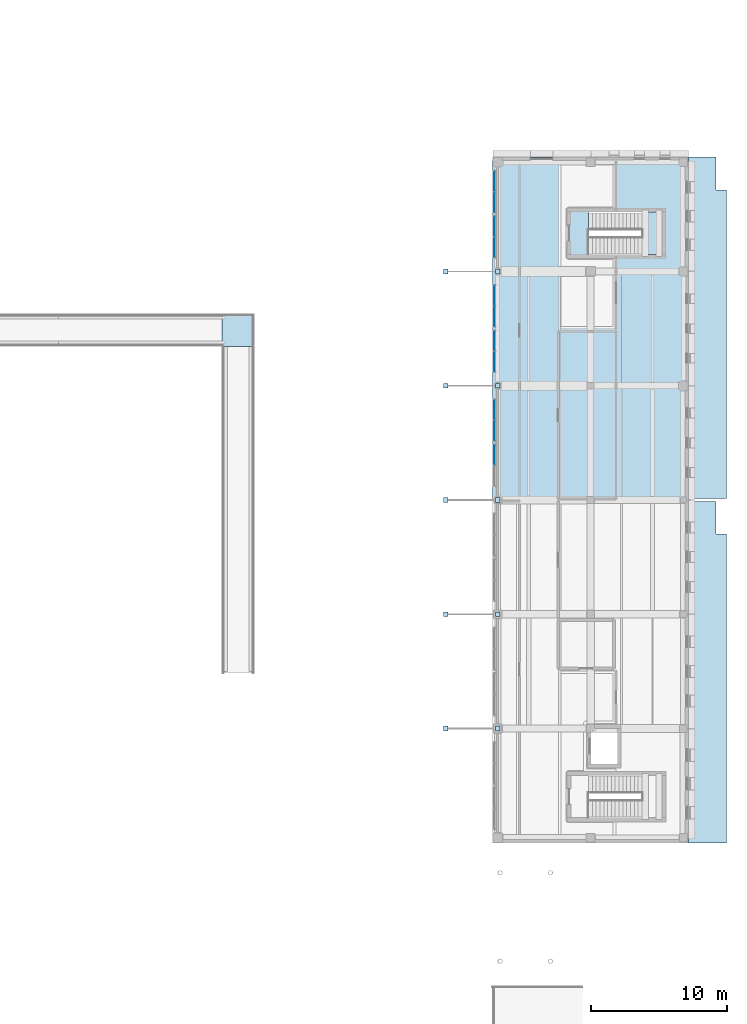
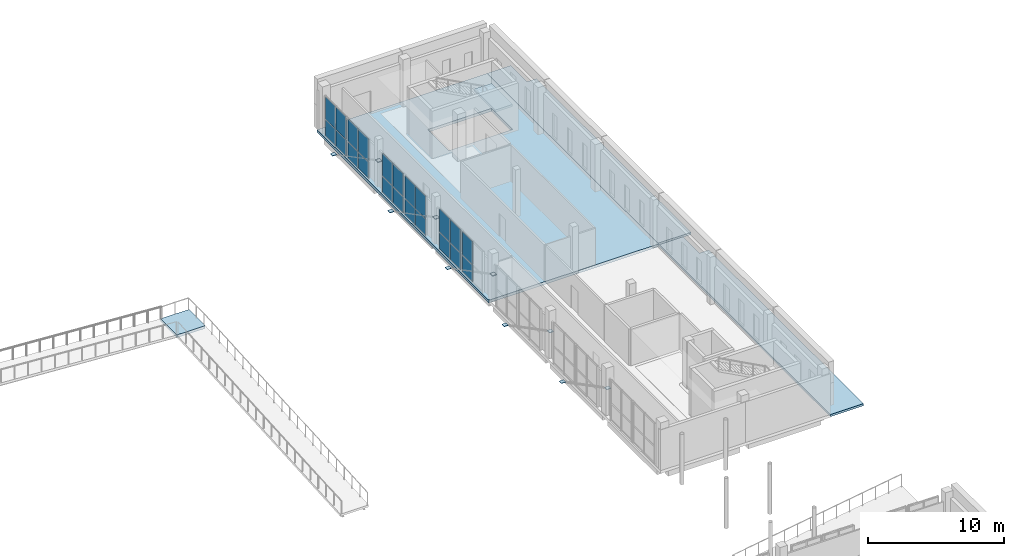
# One storey, part 46 of 77: 32 plates, 5 slabs, 7 elements without a shape of their own.
"""IFC4 building model written with IfcOpenShell, lengths in metres."""

from ifc_helpers import new_model, si_unit, direction, frame, origin, origin_2d, place, context, subcontext, project, spatial, polyline, rectangle, outline, extrude, material, layer, layer_set, type_object, element, aggregate, save


model = new_model("IFC4")

# Units and contexts
model_context = context("Model", 3, precision=1e-05, world=origin(), true_north=direction((0.0, 1.0)))
body_context = subcontext(model_context, "Body", "Model", "MODEL_VIEW")
ifc_project = project(units=[si_unit("LENGTHUNIT", "METRE"), si_unit("AREAUNIT", "SQUARE_METRE"), si_unit("VOLUMEUNIT", "CUBIC_METRE"), si_unit("PLANEANGLEUNIT", "RADIAN"), si_unit("MASSUNIT", "GRAM", prefix="KILO")], contexts=[model_context])

# Site, building, storey
site_placement = place(None, origin())
site = spatial("IfcSite", under=ifc_project, at=site_placement, CompositionType="ELEMENT")
building_placement = place(site_placement, origin())
building = spatial("IfcBuilding", under=site, at=building_placement, Name="Vardoun Plaza Health Centre", CompositionType="ELEMENT")
storey_placement = place(building_placement, origin())
storey = spatial("IfcBuildingStorey", under=building, at=storey_placement, Name="L00", CompositionType="ELEMENT", Elevation=0.0)

# Curtain wall, plates
ifc_material_1 = material(Name="Aluminium Alloy EN AW-6063-T6 and Low-E Glass", Category="aluminium")
ifc_layer_1 = layer(ifc_material_1, 0.179931640625)
ifc_layer_set_1 = layer_set([ifc_layer_1], Name="Aluminium Alloy EN AW-6063-T6 and Low-E Glass")
curtain_wall_type = type_object("IfcCurtainWallType", Name="CW-01", PredefinedType="USERDEFINED", material=ifc_layer_set_1)
curtain_wall_1_placement = place(storey_placement, origin())
curtain_wall_1 = element("IfcCurtainWall", 1, at=curtain_wall_1_placement, inside=storey, type_object=curtain_wall_type, Name="Curtain Wall CW-V6-197", ObjectType="CONCOURSE_CURTAIN_WALL", PredefinedType="USERDEFINED")
ifc_material_2 = material(Name="Acoustic Laminated Double Low-E Glazing", Category="glass")
ifc_layer_2 = layer(ifc_material_2, 0.031982421875)
ifc_layer_set_2 = layer_set([ifc_layer_2], Name="Acoustic Laminated Double Low-E Glazing")
plate_type_1 = type_object("IfcPlateType", Name="CW-P2", PredefinedType="CURTAIN_PANEL", material=ifc_layer_set_2)
plate_1_placement = place(storey_placement, frame((151.02001953125, 64.813720703125, 0.06494140625), z_axis=(0.0, 0.0, 1.0), x_axis=(0.0, 1.0, 0.0)))
plate_1 = element("IfcPlate", 2, at=plate_1_placement, type_object=plate_type_1, Name="CW-V6-197 panel 2.1", PredefinedType="CURTAIN_PANEL", context=body_context, shape_type="SweptSolid", body=[
    extrude(rectangle(XDim=1.482421875, YDim=0.031982421875, at=origin_2d()), origin(), (0.0, 0.0, 1.0), 1.47119140625),
])
plate_2_placement = place(storey_placement, frame((151.02001953125, 64.813720703125, 1.60107421875), z_axis=(0.0, 0.0, 1.0), x_axis=(0.0, 1.0, 0.0)))
plate_2 = element("IfcPlate", 3, at=plate_2_placement, type_object=plate_type_1, Name="CW-V6-197 panel 2.2", PredefinedType="CURTAIN_PANEL", context=body_context, shape_type="SweptSolid", body=[
    extrude(rectangle(XDim=1.482421875, YDim=0.031982421875, at=origin_2d()), origin(), (0.0, 0.0, 1.0), 2.06884765625),
])
aggregate(curtain_wall_1, [plate_1, plate_2])

curtain_wall_2_placement = place(storey_placement, origin())
curtain_wall_2 = element("IfcCurtainWall", 4, at=curtain_wall_2_placement, inside=storey, type_object=curtain_wall_type, Name="Curtain Wall CW-V6-198", ObjectType="CONCOURSE_CURTAIN_WALL", PredefinedType="USERDEFINED")
plate_3_placement = place(storey_placement, frame((151.02001953125, 66.586181640625, 0.06494140625), z_axis=(0.0, 0.0, 1.0), x_axis=(0.0, 1.0, 0.0)))
plate_3 = element("IfcPlate", 5, at=plate_3_placement, type_object=plate_type_1, Name="CW-V6-198 panel 1.1", PredefinedType="CURTAIN_PANEL", context=body_context, shape_type="SweptSolid", body=[
    extrude(rectangle(XDim=1.482421875, YDim=0.031982421875, at=origin_2d()), origin(), (0.0, 0.0, 1.0), 1.47119140625),
])
plate_4_placement = place(storey_placement, frame((151.02001953125, 66.586181640625, 1.60107421875), z_axis=(0.0, 0.0, 1.0), x_axis=(0.0, 1.0, 0.0)))
plate_4 = element("IfcPlate", 6, at=plate_4_placement, type_object=plate_type_1, Name="CW-V6-198 panel 1.2", PredefinedType="CURTAIN_PANEL", context=body_context, shape_type="SweptSolid", body=[
    extrude(rectangle(XDim=1.482421875, YDim=0.031982421875, at=origin_2d()), origin(), (0.0, 0.0, 1.0), 2.06884765625),
])
plate_5_placement = place(storey_placement, frame((151.02001953125, 68.1337890625, 0.06494140625), z_axis=(0.0, 0.0, 1.0), x_axis=(0.0, 1.0, 0.0)))
plate_5 = element("IfcPlate", 7, at=plate_5_placement, type_object=plate_type_1, Name="CW-V6-198 panel 2.1", PredefinedType="CURTAIN_PANEL", context=body_context, shape_type="SweptSolid", body=[
    extrude(rectangle(XDim=1.482421875, YDim=0.031982421875, at=origin_2d()), origin(), (0.0, 0.0, 1.0), 1.47119140625),
])
plate_6_placement = place(storey_placement, frame((151.02001953125, 68.1337890625, 1.60107421875), z_axis=(0.0, 0.0, 1.0), x_axis=(0.0, 1.0, 0.0)))
plate_6 = element("IfcPlate", 8, at=plate_6_placement, type_object=plate_type_1, Name="CW-V6-198 panel 2.2", PredefinedType="CURTAIN_PANEL", context=body_context, shape_type="SweptSolid", body=[
    extrude(rectangle(XDim=1.482421875, YDim=0.031982421875, at=origin_2d()), origin(), (0.0, 0.0, 1.0), 2.06884765625),
])
aggregate(curtain_wall_2, [plate_3, plate_4, plate_5, plate_6])

curtain_wall_3_placement = place(storey_placement, origin())
curtain_wall_3 = element("IfcCurtainWall", 9, at=curtain_wall_3_placement, inside=storey, type_object=curtain_wall_type, Name="Curtain Wall CW-V6-199", ObjectType="CONCOURSE_CURTAIN_WALL", PredefinedType="USERDEFINED")
plate_7_placement = place(storey_placement, frame((151.02001953125, 71.666259765625, 0.06494140625), z_axis=(0.0, 0.0, 1.0), x_axis=(0.0, 1.0, 0.0)))
plate_7 = element("IfcPlate", 10, at=plate_7_placement, type_object=plate_type_1, Name="CW-V6-199 panel 1.1", PredefinedType="CURTAIN_PANEL", context=body_context, shape_type="SweptSolid", body=[
    extrude(rectangle(XDim=1.482421875, YDim=0.031982421875, at=origin_2d()), origin(), (0.0, 0.0, 1.0), 1.4208984375),
])
plate_8_placement = place(storey_placement, frame((151.02001953125, 71.666259765625, 1.55078125), z_axis=(0.0, 0.0, 1.0), x_axis=(0.0, 1.0, 0.0)))
plate_8 = element("IfcPlate", 11, at=plate_8_placement, type_object=plate_type_1, Name="CW-V6-199 panel 1.2", PredefinedType="CURTAIN_PANEL", context=body_context, shape_type="SweptSolid", body=[
    extrude(rectangle(XDim=1.482421875, YDim=0.031982421875, at=origin_2d()), origin(), (0.0, 0.0, 1.0), 1.999267578125),
])
plate_9_placement = place(storey_placement, frame((151.02001953125, 73.2138671875, 0.06494140625), z_axis=(0.0, 0.0, 1.0), x_axis=(0.0, 1.0, 0.0)))
plate_9 = element("IfcPlate", 12, at=plate_9_placement, type_object=plate_type_1, Name="CW-V6-199 panel 2.1", PredefinedType="CURTAIN_PANEL", context=body_context, shape_type="SweptSolid", body=[
    extrude(rectangle(XDim=1.482421875, YDim=0.031982421875, at=origin_2d()), origin(), (0.0, 0.0, 1.0), 1.4208984375),
])
plate_10_placement = place(storey_placement, frame((151.02001953125, 73.2138671875, 1.55078125), z_axis=(0.0, 0.0, 1.0), x_axis=(0.0, 1.0, 0.0)))
plate_10 = element("IfcPlate", 13, at=plate_10_placement, type_object=plate_type_1, Name="CW-V6-199 panel 2.2", PredefinedType="CURTAIN_PANEL", context=body_context, shape_type="SweptSolid", body=[
    extrude(rectangle(XDim=1.482421875, YDim=0.031982421875, at=origin_2d()), origin(), (0.0, 0.0, 1.0), 1.999267578125),
])
aggregate(curtain_wall_3, [plate_7, plate_8, plate_9, plate_10])

curtain_wall_4_placement = place(storey_placement, origin())
curtain_wall_4 = element("IfcCurtainWall", 14, at=curtain_wall_4_placement, inside=storey, type_object=curtain_wall_type, Name="Curtain Wall CW-V6-200", ObjectType="CONCOURSE_CURTAIN_WALL", PredefinedType="USERDEFINED")
plate_11_placement = place(storey_placement, frame((151.02001953125, 74.986328125, 0.06494140625), z_axis=(0.0, 0.0, 1.0), x_axis=(0.0, 1.0, 0.0)))
plate_11 = element("IfcPlate", 15, at=plate_11_placement, type_object=plate_type_1, Name="CW-V6-200 panel 1.1", PredefinedType="CURTAIN_PANEL", context=body_context, shape_type="SweptSolid", body=[
    extrude(rectangle(XDim=1.482421875, YDim=0.031982421875, at=origin_2d()), origin(), (0.0, 0.0, 1.0), 1.4208984375),
])
plate_12_placement = place(storey_placement, frame((151.02001953125, 74.986328125, 1.55078125), z_axis=(0.0, 0.0, 1.0), x_axis=(0.0, 1.0, 0.0)))
plate_12 = element("IfcPlate", 16, at=plate_12_placement, type_object=plate_type_1, Name="CW-V6-200 panel 1.2", PredefinedType="CURTAIN_PANEL", context=body_context, shape_type="SweptSolid", body=[
    extrude(rectangle(XDim=1.482421875, YDim=0.031982421875, at=origin_2d()), origin(), (0.0, 0.0, 1.0), 1.999267578125),
])
plate_13_placement = place(storey_placement, frame((151.02001953125, 76.53369140625, 0.06494140625), z_axis=(0.0, 0.0, 1.0), x_axis=(0.0, 1.0, 0.0)))
plate_13 = element("IfcPlate", 17, at=plate_13_placement, type_object=plate_type_1, Name="CW-V6-200 panel 2.1", PredefinedType="CURTAIN_PANEL", context=body_context, shape_type="SweptSolid", body=[
    extrude(rectangle(XDim=1.482421875, YDim=0.031982421875, at=origin_2d()), origin(), (0.0, 0.0, 1.0), 1.4208984375),
])
plate_14_placement = place(storey_placement, frame((151.02001953125, 76.53369140625, 1.55078125), z_axis=(0.0, 0.0, 1.0), x_axis=(0.0, 1.0, 0.0)))
plate_14 = element("IfcPlate", 18, at=plate_14_placement, type_object=plate_type_1, Name="CW-V6-200 panel 2.2", PredefinedType="CURTAIN_PANEL", context=body_context, shape_type="SweptSolid", body=[
    extrude(rectangle(XDim=1.482421875, YDim=0.031982421875, at=origin_2d()), origin(), (0.0, 0.0, 1.0), 1.999267578125),
])
aggregate(curtain_wall_4, [plate_11, plate_12, plate_13, plate_14])

curtain_wall_5_placement = place(storey_placement, origin())
curtain_wall_5 = element("IfcCurtainWall", 19, at=curtain_wall_5_placement, inside=storey, type_object=curtain_wall_type, Name="Curtain Wall CW-V6-201", ObjectType="CONCOURSE_CURTAIN_WALL", PredefinedType="USERDEFINED")
plate_15_placement = place(storey_placement, frame((151.02001953125, 80.066162109375, 0.06494140625), z_axis=(0.0, 0.0, 1.0), x_axis=(0.0, 1.0, 0.0)))
plate_15 = element("IfcPlate", 20, at=plate_15_placement, type_object=plate_type_1, Name="CW-V6-201 panel 1.1", PredefinedType="CURTAIN_PANEL", context=body_context, shape_type="SweptSolid", body=[
    extrude(rectangle(XDim=1.482421875, YDim=0.031982421875, at=origin_2d()), origin(), (0.0, 0.0, 1.0), 1.42919921875),
])
plate_16_placement = place(storey_placement, frame((151.02001953125, 80.066162109375, 1.559326171875), z_axis=(0.0, 0.0, 1.0), x_axis=(0.0, 1.0, 0.0)))
plate_16 = element("IfcPlate", 21, at=plate_16_placement, type_object=plate_type_1, Name="CW-V6-201 panel 1.2", PredefinedType="CURTAIN_PANEL", context=body_context, shape_type="SweptSolid", body=[
    extrude(rectangle(XDim=1.482421875, YDim=0.031982421875, at=origin_2d()), origin(), (0.0, 0.0, 1.0), 2.0107421875),
])
plate_17_placement = place(storey_placement, frame((151.02001953125, 81.61376953125, 0.06494140625), z_axis=(0.0, 0.0, 1.0), x_axis=(0.0, 1.0, 0.0)))
plate_17 = element("IfcPlate", 22, at=plate_17_placement, type_object=plate_type_1, Name="CW-V6-201 panel 2.1", PredefinedType="CURTAIN_PANEL", context=body_context, shape_type="SweptSolid", body=[
    extrude(rectangle(XDim=1.482421875, YDim=0.031982421875, at=origin_2d()), origin(), (0.0, 0.0, 1.0), 1.42919921875),
])
plate_18_placement = place(storey_placement, frame((151.02001953125, 81.61376953125, 1.559326171875), z_axis=(0.0, 0.0, 1.0), x_axis=(0.0, 1.0, 0.0)))
plate_18 = element("IfcPlate", 23, at=plate_18_placement, type_object=plate_type_1, Name="CW-V6-201 panel 2.2", PredefinedType="CURTAIN_PANEL", context=body_context, shape_type="SweptSolid", body=[
    extrude(rectangle(XDim=1.482421875, YDim=0.031982421875, at=origin_2d()), origin(), (0.0, 0.0, 1.0), 2.0107421875),
])
aggregate(curtain_wall_5, [plate_15, plate_16, plate_17, plate_18])

curtain_wall_6_placement = place(storey_placement, origin())
curtain_wall_6 = element("IfcCurtainWall", 24, at=curtain_wall_6_placement, inside=storey, type_object=curtain_wall_type, Name="Curtain Wall CW-V6-202", ObjectType="CONCOURSE_CURTAIN_WALL", PredefinedType="USERDEFINED")
plate_19_placement = place(storey_placement, frame((151.02001953125, 83.38623046875, 0.06494140625), z_axis=(0.0, 0.0, 1.0), x_axis=(0.0, 1.0, 0.0)))
plate_19 = element("IfcPlate", 25, at=plate_19_placement, type_object=plate_type_1, Name="CW-V6-202 panel 1.1", PredefinedType="CURTAIN_PANEL", context=body_context, shape_type="SweptSolid", body=[
    extrude(rectangle(XDim=1.482421875, YDim=0.031982421875, at=origin_2d()), origin(), (0.0, 0.0, 1.0), 1.42919921875),
])
plate_20_placement = place(storey_placement, frame((151.02001953125, 83.38623046875, 1.559326171875), z_axis=(0.0, 0.0, 1.0), x_axis=(0.0, 1.0, 0.0)))
plate_20 = element("IfcPlate", 26, at=plate_20_placement, type_object=plate_type_1, Name="CW-V6-202 panel 1.2", PredefinedType="CURTAIN_PANEL", context=body_context, shape_type="SweptSolid", body=[
    extrude(rectangle(XDim=1.482421875, YDim=0.031982421875, at=origin_2d()), origin(), (0.0, 0.0, 1.0), 2.0107421875),
])
plate_21_placement = place(storey_placement, frame((151.02001953125, 84.933837890625, 0.06494140625), z_axis=(0.0, 0.0, 1.0), x_axis=(0.0, 1.0, 0.0)))
plate_21 = element("IfcPlate", 27, at=plate_21_placement, type_object=plate_type_1, Name="CW-V6-202 panel 2.1", PredefinedType="CURTAIN_PANEL", context=body_context, shape_type="SweptSolid", body=[
    extrude(rectangle(XDim=1.482421875, YDim=0.031982421875, at=origin_2d()), origin(), (0.0, 0.0, 1.0), 1.42919921875),
])
plate_22_placement = place(storey_placement, frame((151.02001953125, 84.933837890625, 1.559326171875), z_axis=(0.0, 0.0, 1.0), x_axis=(0.0, 1.0, 0.0)))
plate_22 = element("IfcPlate", 28, at=plate_22_placement, type_object=plate_type_1, Name="CW-V6-202 panel 2.2", PredefinedType="CURTAIN_PANEL", context=body_context, shape_type="SweptSolid", body=[
    extrude(rectangle(XDim=1.482421875, YDim=0.031982421875, at=origin_2d()), origin(), (0.0, 0.0, 1.0), 2.0107421875),
])
aggregate(curtain_wall_6, [plate_19, plate_20, plate_21, plate_22])

# Stair, slab
ifc_material_3 = material(Name="Concrete C35/45", Category="concrete")
stair_type = type_object("IfcStairType", Name="ST-01", PredefinedType="HALF_TURN_STAIR", material=ifc_material_3)
stair_placement = place(storey_placement, origin())
stair = element("IfcStair", 29, at=stair_placement, inside=storey, type_object=stair_type, Name="Core C11 L00 Exit Stair ST-C11-L00", PredefinedType="HALF_TURN_STAIR")
ifc_material_4 = material(Name="Concrete C35/45", Category="concrete")
ifc_layer_3 = layer(ifc_material_4, 0.199951171875)
ifc_layer_set_3 = layer_set([ifc_layer_3], Name="Concrete C35/45")
slab_type_1 = type_object("IfcSlabType", Name="SL-LD", PredefinedType="LANDING", material=ifc_layer_set_3)
slab_1_placement = place(storey_placement, frame((0.0, 0.0, 2.050048828125)))
slab_1 = element("IfcSlab", 30, at=slab_1_placement, type_object=slab_type_1, Name="ST-C11-L00 landing 1", PredefinedType="LANDING", context=body_context, shape_type="SweptSolid", body=[
    extrude(outline(polyline([(161.869384765625, 79.550048828125), (163.35009765625, 79.550048828125), (163.35009765625, 82.64990234375), (161.869384765625, 82.64990234375), (161.869384765625, 79.550048828125)])), origin(), (0.0, 0.0, 1.0), 0.199951171875),
])
aggregate(stair, [slab_1])

# Plates
ifc_material_5 = material(Name="Steel S355J2", Category="steel")
ifc_layer_4 = layer(ifc_material_5, 0.0400390625)
ifc_layer_set_4 = layer_set([ifc_layer_4], Name="Steel S355J2")
plate_type_2 = type_object("IfcPlateType", Name="BP-04", PredefinedType="SHEET", material=ifc_layer_set_4)
for number, where, z_axis, x_axis, name in (
    (31, (151.280029296875, 44.699951171875, 2.179931640625), (0.0, 0.0, 1.0), (1.0, 0.0, 0.0), "Canopy Raking Strut 1 Lower Clevis Plate"),
    (32, (147.449951171875, 44.699951171875, 4.080078125), (0.0, 0.0, 1.0), (1.0, 0.0, 0.0), "Canopy Raking Strut 1 Upper Clevis Plate"),
    (33, (151.280029296875, 53.10009765625, 2.179931640625), (0.0, 0.0, 1.0), (1.0, 0.0, 0.0), "Canopy Raking Strut 2 Lower Clevis Plate"),
    (34, (147.449951171875, 53.10009765625, 4.080078125), (0.0, 0.0, 1.0), (1.0, 0.0, 0.0), "Canopy Raking Strut 2 Upper Clevis Plate"),
    (35, (151.280029296875, 61.5, 2.179931640625), (0.0, 0.0, 1.0), (1.0, 0.0, 0.0), "Canopy Raking Strut 3 Lower Clevis Plate"),
    (36, (147.449951171875, 61.5, 4.080078125), (0.0, 0.0, 1.0), (1.0, 0.0, 0.0), "Canopy Raking Strut 3 Upper Clevis Plate"),
    (37, (151.280029296875, 69.89990234375, 2.179931640625), (0.0, 0.0, 1.0), (1.0, 0.0, 0.0), "Canopy Raking Strut 4 Lower Clevis Plate"),
    (38, (147.449951171875, 69.89990234375, 4.080078125), (0.0, 0.0, 1.0), (1.0, 0.0, 0.0), "Canopy Raking Strut 4 Upper Clevis Plate"),
    (39, (151.280029296875, 78.300048828125, 2.179931640625), (0.0, 0.0, 1.0), (1.0, 0.0, 0.0), "Canopy Raking Strut 5 Lower Clevis Plate"),
    (40, (147.449951171875, 78.300048828125, 4.080078125), (0.0, 0.0, 1.0), (1.0, 0.0, 0.0), "Canopy Raking Strut 5 Upper Clevis Plate"),
):
    element("IfcPlate", number, at=place(storey_placement, frame(where, z_axis=z_axis, x_axis=x_axis)), inside=storey, type_object=plate_type_2, Name=name, PredefinedType="SHEET", context=body_context, shape_type="SweptSolid", body=[
        extrude(rectangle(XDim=0.35009765625, YDim=0.35009765625, at=origin_2d()), origin(), (0.0, 0.0, 1.0), 0.0400390625),
    ])

# Slabs
ifc_material_6 = material(Name="Concrete C35/45", Category="concrete")
ifc_layer_5 = layer(ifc_material_6, 0.25)
ifc_layer_set_5 = layer_set([ifc_layer_5], Name="Concrete C35/45")
slab_type_2 = type_object("IfcSlabType", Name="SL-01", PredefinedType="FLOOR", material=ifc_layer_set_5)
slab_2_placement = place(storey_placement, frame((0.0, 0.0, -0.25)))
element("IfcSlab", 41, at=slab_2_placement, inside=storey, type_object=slab_type_2, Name="V6 L00 Structural Slab N", PredefinedType="FLOOR", context=body_context, shape_type="SweptSolid", body=[
    extrude(outline(polyline([(150.89990234375, 61.5), (165.300048828125, 61.5), (165.300048828125, 86.699951171875), (150.89990234375, 86.699951171875), (150.89990234375, 61.5)]), holes=[polyline([(157.95068359375, 79.550048828125), (163.35009765625, 79.550048828125), (163.35009765625, 82.64990234375), (157.95068359375, 82.64990234375), (157.95068359375, 79.550048828125)])]), origin(), (0.0, 0.0, 1.0), 0.25),
])
slab_3_placement = place(storey_placement, frame((0.0, 0.0, -3.25)))
element("IfcSlab", 42, at=slab_3_placement, inside=storey, type_object=slab_type_2, Name="Forecourt Ramp Landing 3", PredefinedType="FLOOR", context=body_context, shape_type="SweptSolid", body=[
    extrude(outline(polyline([(131.0, 72.800048828125), (133.39990234375, 72.800048828125), (133.39990234375, 75.199951171875), (131.0, 75.199951171875), (131.0, 72.800048828125)])), origin(), (0.0, 0.0, 1.0), 0.25),
])
ifc_material_7 = material(Name="Pale Limestone Concrete C35/45", Category="masonry")
ifc_layer_6 = layer(ifc_material_7, 0.169921875)
ifc_layer_set_6 = layer_set([ifc_layer_6], Name="Pale Limestone Concrete C35/45")
slab_type_3 = type_object("IfcSlabType", Name="SL-T2", PredefinedType="USERDEFINED", material=ifc_layer_set_6)
slab_4_placement = place(storey_placement, frame((0.0, 0.0, -0.199951171875)))
element("IfcSlab", 43, at=slab_4_placement, inside=storey, type_object=slab_type_3, Name="Ground Plaza Paving Apron PZ-E2", ObjectType="PAVING", PredefinedType="USERDEFINED", context=body_context, shape_type="SweptSolid", body=[
    extrude(outline(polyline([(165.300048828125, 36.300048828125), (168.10009765625, 36.300048828125), (168.10009765625, 59.0), (167.31591796875, 59.0), (167.31591796875, 61.39990234375), (165.300048828125, 61.39990234375), (165.300048828125, 36.300048828125)])), origin(), (0.0, 0.0, 1.0), 0.199951171875),
])
slab_5_placement = place(storey_placement, frame((0.0, 0.0, -0.199951171875)))
element("IfcSlab", 44, at=slab_5_placement, inside=storey, type_object=slab_type_3, Name="Ground Plaza Paving Apron PZ-E3", ObjectType="PAVING", PredefinedType="USERDEFINED", context=body_context, shape_type="SweptSolid", body=[
    extrude(outline(polyline([(165.300048828125, 61.60009765625), (168.10009765625, 61.60009765625), (168.10009765625, 84.300048828125), (167.31591796875, 84.300048828125), (167.31591796875, 86.699951171875), (165.300048828125, 86.699951171875), (165.300048828125, 61.60009765625)])), origin(), (0.0, 0.0, 1.0), 0.199951171875),
])

save(model, "model.ifc")
